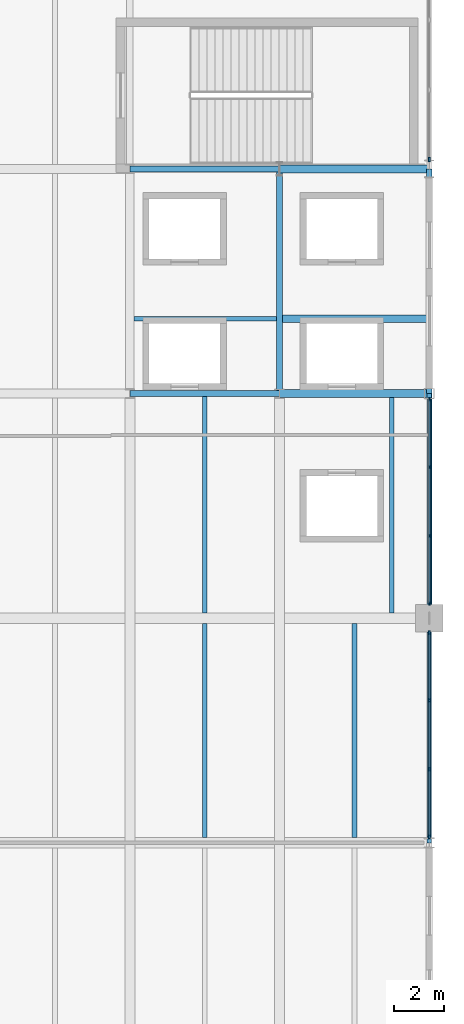
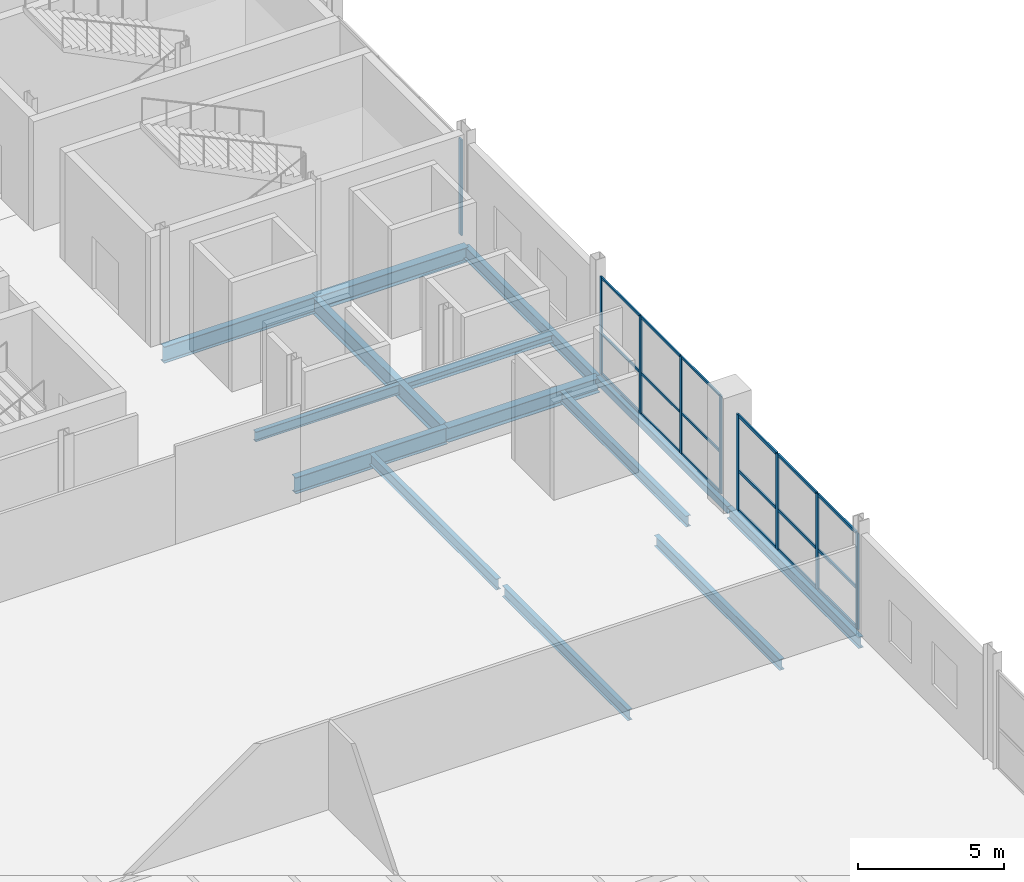
# One storey, part 17 of 50: 27 members, 14 beams, 3 elements without a shape of their own.
"""IFC4 building model written with IfcOpenShell, lengths in metres."""

from ifc_helpers import new_model, si_unit, direction, frame, origin, origin_2d, place, context, subcontext, project, spatial, rectangle, hollow_rectangle, i_section, extrude, material, layer, layer_set, material_profile, profile_set, type_object, element, aggregate, save


model = new_model("IFC4")

# Units and contexts
model_context = context("Model", 3, precision=1e-05, world=origin(), true_north=direction((0.0, 1.0)))
body_context = subcontext(model_context, "Body", "Model", "MODEL_VIEW")
ifc_project = project(units=[si_unit("LENGTHUNIT", "METRE"), si_unit("AREAUNIT", "SQUARE_METRE"), si_unit("VOLUMEUNIT", "CUBIC_METRE"), si_unit("PLANEANGLEUNIT", "RADIAN"), si_unit("MASSUNIT", "GRAM", prefix="KILO")], contexts=[model_context])

# Site, building, storey
site_placement = place(None, origin())
site = spatial("IfcSite", under=ifc_project, at=site_placement, CompositionType="ELEMENT")
building_placement = place(site_placement, origin())
building = spatial("IfcBuilding", under=site, at=building_placement, Name="Qamarlyn Nura Convention Centre", CompositionType="ELEMENT")
storey_placement = place(building_placement, frame((0.0, 0.0, 20.39990234375)))
storey = spatial("IfcBuildingStorey", under=building, at=storey_placement, Name="L04", CompositionType="ELEMENT", Elevation=20.39990234375)

# Beams
ifc_material_1 = material(Name="Steel ASTM A992", Category="steel")
ifc_material_profile_1 = material_profile(ifc_material_1, i_section(OverallWidth=0.323974609375, OverallDepth=0.611083984375, WebThickness=0.0126953125, FlangeThickness=0.01904296875, FilletRadius=0.01611328125, at=origin_2d()), Name="W610X155")
ifc_profile_set_1 = profile_set([ifc_material_profile_1], Name="Steel ASTM A992")
beam_type_1 = type_object("IfcBeamType", Name="BM-GIRD-610", PredefinedType="BEAM", material=ifc_profile_set_1)
for number, where, z_axis, x_axis, name in (
    (1, (186.0, 54.0, -0.50537109375), (1.0, 0.0, 0.0), (0.0, 1.0, 0.0), "L04 girder G 17-18"),
    (2, (186.0, 63.0, -0.50537109375), (1.0, 0.0, 0.0), (0.0, 1.0, 0.0), "L04 girder H 17-18"),
):
    element("IfcBeam", number, at=place(storey_placement, frame(where, z_axis=z_axis, x_axis=x_axis)), inside=storey, type_object=beam_type_1, Name=name, PredefinedType="BEAM", context=body_context, shape_type="SweptSolid", body=[
        extrude(i_section(OverallWidth=0.323974609375, OverallDepth=0.611083984375, WebThickness=0.0126953125, FlangeThickness=0.01904296875, FilletRadius=0.01611328125, at=origin_2d()), origin(), (0.0, 0.0, 1.0), 6.0),
    ])
ifc_material_profile_2 = material_profile(ifc_material_1, i_section(OverallWidth=0.25390625, OverallDepth=0.68408203125, WebThickness=0.012451171875, FlangeThickness=0.01904296875, FilletRadius=0.01806640625, at=origin_2d()), Name="W690X140")
ifc_profile_set_2 = profile_set([ifc_material_profile_2], Name="Steel ASTM A992")
beam_type_2 = type_object("IfcBeamType", Name="BM-GIRD-690B", PredefinedType="BEAM", material=ifc_profile_set_2)
for number, where, z_axis, x_axis, name in (
    (3, (180.0, 54.0, -0.5419921875), (1.0, 0.0, 0.0), (0.0, 1.0, 0.0), "L04 girder G 16-17"),
    (4, (180.0, 63.0, -0.5419921875), (1.0, 0.0, 0.0), (0.0, 1.0, 0.0), "L04 girder H 16-17"),
):
    element("IfcBeam", number, at=place(storey_placement, frame(where, z_axis=z_axis, x_axis=x_axis)), inside=storey, type_object=beam_type_2, Name=name, PredefinedType="BEAM", context=body_context, shape_type="SweptSolid", body=[
        extrude(i_section(OverallWidth=0.25390625, OverallDepth=0.68408203125, WebThickness=0.012451171875, FlangeThickness=0.01904296875, FilletRadius=0.01806640625, at=origin_2d()), origin(), (0.0, 0.0, 1.0), 6.0),
    ])
beam_1_placement = place(storey_placement, frame((186.0, 54.0, -0.5419921875), z_axis=(0.0, 1.0, 0.0), x_axis=(-1.0, 0.0, 0.0)))
element("IfcBeam", 5, at=beam_1_placement, inside=storey, type_object=beam_type_2, Name="L04 girder 17 G-H", PredefinedType="BEAM", context=body_context, shape_type="SweptSolid", body=[
    extrude(i_section(OverallWidth=0.25390625, OverallDepth=0.68408203125, WebThickness=0.012451171875, FlangeThickness=0.01904296875, FilletRadius=0.01806640625, at=origin_2d()), origin(), (0.0, 0.0, 1.0), 9.0),
])
ifc_material_profile_3 = material_profile(ifc_material_1, i_section(OverallWidth=0.304931640625, OverallDepth=0.30810546875, WebThickness=0.010009765625, FlangeThickness=0.015380859375, FilletRadius=0.014892578125, at=origin_2d()), Name="W310X97")
ifc_profile_set_3 = profile_set([ifc_material_profile_3], Name="Steel ASTM A992")
beam_type_3 = type_object("IfcBeamType", Name="BM-JOIST-310", PredefinedType="JOIST", material=ifc_profile_set_3)
beam_2_placement = place(storey_placement, frame((186.126953125, 57.0, -0.35400390625), z_axis=(1.0, 0.0, 0.0), x_axis=(0.0, 1.0, 0.0)))
element("IfcBeam", 6, at=beam_2_placement, inside=storey, type_object=beam_type_3, Name="L04 composite joist 17-18/G+1", PredefinedType="JOIST", context=body_context, shape_type="SweptSolid", body=[
    extrude(i_section(OverallWidth=0.304931640625, OverallDepth=0.30810546875, WebThickness=0.010009765625, FlangeThickness=0.015380859375, FilletRadius=0.014892578125, at=origin_2d()), origin(), (0.0, 0.0, 1.0), 5.767578125),
])
ifc_material_profile_4 = material_profile(ifc_material_1, i_section(OverallWidth=0.177978515625, OverallDepth=0.406982421875, WebThickness=0.0078125, FlangeThickness=0.0126953125, FilletRadius=0.011962890625, at=origin_2d()), Name="W410X60")
ifc_profile_set_4 = profile_set([ifc_material_profile_4], Name="Steel ASTM A992")
beam_type_4 = type_object("IfcBeamType", Name="BM-JOIST-410", PredefinedType="JOIST", material=ifc_profile_set_4)
beam_3_placement = place(storey_placement, frame((180.177490234375, 57.0, -0.4033203125), z_axis=(1.0, 0.0, 0.0), x_axis=(0.0, 1.0, 0.0)))
element("IfcBeam", 7, at=beam_3_placement, inside=storey, type_object=beam_type_4, Name="L04 composite joist 16-17/G+1", PredefinedType="JOIST", context=body_context, shape_type="SweptSolid", body=[
    extrude(i_section(OverallWidth=0.177978515625, OverallDepth=0.406982421875, WebThickness=0.0078125, FlangeThickness=0.0126953125, FilletRadius=0.011962890625, at=origin_2d()), origin(), (0.0, 0.0, 1.0), 5.695556640625),
])
ifc_material_profile_5 = material_profile(ifc_material_1, i_section(OverallWidth=0.18994140625, OverallDepth=0.45703125, WebThickness=0.009033203125, FlangeThickness=0.014404296875, FilletRadius=0.012939453125, at=origin_2d()), Name="W460X74")
ifc_profile_set_5 = profile_set([ifc_material_profile_5], Name="Steel ASTM A992")
beam_type_5 = type_object("IfcBeamType", Name="BM-JOIST-460", PredefinedType="JOIST", material=ifc_profile_set_5)
beam_4_placement = place(storey_placement, frame((183.0, 36.208984375, -0.428466796875), z_axis=(0.0, 1.0, 0.0), x_axis=(-1.0, 0.0, 0.0)))
element("IfcBeam", 8, at=beam_4_placement, inside=storey, type_object=beam_type_5, Name="L04 secondary joist 16-17/E-F-60", PredefinedType="JOIST", context=body_context, shape_type="SweptSolid", body=[
    extrude(i_section(OverallWidth=0.18994140625, OverallDepth=0.45703125, WebThickness=0.009033203125, FlangeThickness=0.014404296875, FilletRadius=0.012939453125, at=origin_2d()), origin(), (0.0, 0.0, 1.0), 8.58203125),
])
beam_5_placement = place(storey_placement, frame((183.0, 45.208984375, -0.428466796875), z_axis=(0.0, 1.0, 0.0), x_axis=(-1.0, 0.0, 0.0)))
element("IfcBeam", 9, at=beam_5_placement, inside=storey, type_object=beam_type_5, Name="L04 secondary joist 16-17/F-G-61", PredefinedType="JOIST", context=body_context, shape_type="SweptSolid", body=[
    extrude(i_section(OverallWidth=0.18994140625, OverallDepth=0.45703125, WebThickness=0.009033203125, FlangeThickness=0.014404296875, FilletRadius=0.012939453125, at=origin_2d()), origin(), (0.0, 0.0, 1.0), 8.6640625),
])
beam_6_placement = place(storey_placement, frame((189.0, 36.208984375, -0.428466796875), z_axis=(0.0, 1.0, 0.0), x_axis=(-1.0, 0.0, 0.0)))
element("IfcBeam", 10, at=beam_6_placement, inside=storey, type_object=beam_type_5, Name="L04 secondary joist 17-18/E-F-67", PredefinedType="JOIST", context=body_context, shape_type="SweptSolid", body=[
    extrude(i_section(OverallWidth=0.18994140625, OverallDepth=0.45703125, WebThickness=0.009033203125, FlangeThickness=0.014404296875, FilletRadius=0.012939453125, at=origin_2d()), origin(), (0.0, 0.0, 1.0), 8.58203125),
])
beam_7_placement = place(storey_placement, frame((190.5, 45.208984375, -0.428466796875), z_axis=(0.0, 1.0, 0.0), x_axis=(-1.0, 0.0, 0.0)))
element("IfcBeam", 11, at=beam_7_placement, inside=storey, type_object=beam_type_5, Name="L04 secondary joist 17-18/F-G-68", PredefinedType="JOIST", context=body_context, shape_type="SweptSolid", body=[
    extrude(i_section(OverallWidth=0.18994140625, OverallDepth=0.45703125, WebThickness=0.009033203125, FlangeThickness=0.014404296875, FilletRadius=0.012939453125, at=origin_2d()), origin(), (0.0, 0.0, 1.0), 8.62890625),
])
ifc_material_profile_6 = material_profile(ifc_material_1, i_section(OverallWidth=0.193115234375, OverallDepth=0.466064453125, WebThickness=0.011474609375, FlangeThickness=0.01904296875, FilletRadius=0.012939453125, at=origin_2d()), Name="W460X97")
ifc_profile_set_6 = profile_set([ifc_material_profile_6], Name="Steel ASTM A992")
beam_type_6 = type_object("IfcBeamType", Name="BM-SPAN-460", PredefinedType="SPANDREL", material=ifc_profile_set_6)
beam_8_placement = place(storey_placement, frame((192.0, 36.0, -0.432861328125), z_axis=(0.0, 1.0, 0.0), x_axis=(-1.0, 0.0, 0.0)))
element("IfcBeam", 12, at=beam_8_placement, inside=storey, type_object=beam_type_6, Name="L04 girder 18 E-F", PredefinedType="SPANDREL", context=body_context, shape_type="SweptSolid", body=[
    extrude(i_section(OverallWidth=0.193115234375, OverallDepth=0.466064453125, WebThickness=0.011474609375, FlangeThickness=0.01904296875, FilletRadius=0.012939453125, at=origin_2d()), origin(), (0.0, 0.0, 1.0), 9.0),
])
ifc_material_profile_7 = material_profile(ifc_material_1, i_section(OverallWidth=0.2109375, OverallDepth=0.5390625, WebThickness=0.01171875, FlangeThickness=0.018798828125, FilletRadius=0.013916015625, at=origin_2d()), Name="W530X109")
ifc_profile_set_7 = profile_set([ifc_material_profile_7], Name="Steel ASTM A992")
beam_type_7 = type_object("IfcBeamType", Name="BM-SPAN-530", PredefinedType="SPANDREL", material=ifc_profile_set_7)
beam_9_placement = place(storey_placement, frame((192.0, 54.0, -0.469482421875), z_axis=(0.0, 1.0, 0.0), x_axis=(-1.0, 0.0, 0.0)))
element("IfcBeam", 13, at=beam_9_placement, inside=storey, type_object=beam_type_7, Name="L04 girder 18 G-H", PredefinedType="SPANDREL", context=body_context, shape_type="SweptSolid", body=[
    extrude(i_section(OverallWidth=0.2109375, OverallDepth=0.5390625, WebThickness=0.01171875, FlangeThickness=0.018798828125, FilletRadius=0.013916015625, at=origin_2d()), origin(), (0.0, 0.0, 1.0), 9.0),
])
ifc_material_2 = material(Name="Steel ASTM A500 Grade C", Category="steel")
ifc_material_profile_8 = material_profile(ifc_material_2, hollow_rectangle(XDim=0.199951171875, YDim=0.300048828125, WallThickness=0.012451171875, InnerFilletRadius=0.012451171875, OuterFilletRadius=0.02490234375, at=origin_2d()), Name="HSS300X200X12.5")
ifc_profile_set_8 = profile_set([ifc_material_profile_8], Name="Steel ASTM A500 Grade C")
beam_type_8 = type_object("IfcBeamType", Name="BM-SPAN-HSS", PredefinedType="SPANDREL", material=ifc_profile_set_8)
beam_10_placement = place(storey_placement, frame((192.0, 45.0, -0.349853515625), z_axis=(0.0, 1.0, 0.0), x_axis=(-1.0, 0.0, 0.0)))
element("IfcBeam", 14, at=beam_10_placement, inside=storey, type_object=beam_type_8, Name="L04 girder 18 F-G", PredefinedType="SPANDREL", context=body_context, shape_type="SweptSolid", body=[
    extrude(hollow_rectangle(XDim=0.199951171875, YDim=0.300048828125, WallThickness=0.012451171875, InnerFilletRadius=0.012451171875, OuterFilletRadius=0.02490234375, at=origin_2d()), origin(), (0.0, 0.0, 1.0), 9.0),
])

# Curtain wall, members
ifc_material_3 = material(Name="Double-silver low-E insulated glass", Category="glass")
ifc_layer_1 = layer(ifc_material_3, 0.179931640625, Name="CW-UNIT-136")
ifc_layer_set_1 = layer_set([ifc_layer_1], Name="Double-silver low-E insulated glass")
curtain_wall_type_1 = type_object("IfcCurtainWallType", Name="CW-UNIT-136", PredefinedType="NOTDEFINED", material=ifc_layer_set_1)
curtain_wall_1_placement = place(storey_placement, origin())
curtain_wall_1 = element("IfcCurtainWall", 15, at=curtain_wall_1_placement, inside=storey, type_object=curtain_wall_type_1, Name="L04 unitised curtain wall EAST-6-1", PredefinedType="NOTDEFINED")
ifc_material_4 = material(Name="Champagne-anodised marine aluminium", Category="aluminium")
ifc_material_profile_9 = material_profile(ifc_material_4, rectangle(XDim=0.06005859375, YDim=0.139892578125, at=origin_2d()), Name="ALU MULLION 60x140")
ifc_profile_set_9 = profile_set([ifc_material_profile_9], Name="Champagne-anodised marine aluminium")
member_type_1 = type_object("IfcMemberType", Name="CWM-140", PredefinedType="MULLION", material=ifc_profile_set_9)
member_1_placement = place(storey_placement, frame((192.0, 53.77001953125, 0.0), z_axis=(0.0, 0.0, 1.0), x_axis=(1.0, 0.0, 0.0)))
member_1 = element("IfcMember", 16, at=member_1_placement, type_object=member_type_1, Name="CW136 mullion 1", PredefinedType="MULLION", context=body_context, shape_type="SweptSolid", body=[
    extrude(rectangle(XDim=0.06005859375, YDim=0.139892578125, at=origin_2d()), origin(), (0.0, 0.0, 1.0), 4.0791015625),
])
member_2_placement = place(storey_placement, frame((192.0, 51.050048828125, 0.0), z_axis=(0.0, 0.0, 1.0), x_axis=(1.0, 0.0, 0.0)))
member_2 = element("IfcMember", 17, at=member_2_placement, type_object=member_type_1, Name="CW136 mullion 2", PredefinedType="MULLION", context=body_context, shape_type="SweptSolid", body=[
    extrude(rectangle(XDim=0.06005859375, YDim=0.139892578125, at=origin_2d()), origin(), (0.0, 0.0, 1.0), 4.0791015625),
])
member_3_placement = place(storey_placement, frame((192.0, 48.300048828125, 0.0), z_axis=(0.0, 0.0, 1.0), x_axis=(1.0, 0.0, 0.0)))
member_3 = element("IfcMember", 18, at=member_3_placement, type_object=member_type_1, Name="CW136 mullion 3", PredefinedType="MULLION", context=body_context, shape_type="SweptSolid", body=[
    extrude(rectangle(XDim=0.06005859375, YDim=0.139892578125, at=origin_2d()), origin(), (0.0, 0.0, 1.0), 4.0791015625),
])
member_4_placement = place(storey_placement, frame((192.0, 45.580078125, 0.0), z_axis=(0.0, 0.0, 1.0), x_axis=(1.0, 0.0, 0.0)))
member_4 = element("IfcMember", 19, at=member_4_placement, type_object=member_type_1, Name="CW136 mullion 4", PredefinedType="MULLION", context=body_context, shape_type="SweptSolid", body=[
    extrude(rectangle(XDim=0.06005859375, YDim=0.139892578125, at=origin_2d()), origin(), (0.0, 0.0, 1.0), 4.0791015625),
])

ifc_layer_2 = layer(ifc_material_3, 0.179931640625, Name="CW-UNIT-134")
ifc_layer_set_2 = layer_set([ifc_layer_2], Name="Double-silver low-E insulated glass")
curtain_wall_type_2 = type_object("IfcCurtainWallType", Name="CW-UNIT-134", PredefinedType="NOTDEFINED", material=ifc_layer_set_2)
curtain_wall_2_placement = place(storey_placement, origin())
curtain_wall_2 = element("IfcCurtainWall", 20, at=curtain_wall_2_placement, inside=storey, type_object=curtain_wall_type_2, Name="L04 unitised curtain wall EAST-5-1", PredefinedType="NOTDEFINED")
ifc_material_profile_10 = material_profile(ifc_material_4, rectangle(XDim=0.06494140625, YDim=0.159912109375, at=origin_2d()), Name="ALU MULLION 65x160")
ifc_profile_set_10 = profile_set([ifc_material_profile_10], Name="Champagne-anodised marine aluminium")
member_type_2 = type_object("IfcMemberType", Name="CWM-160", PredefinedType="MULLION", material=ifc_profile_set_10)
member_5_placement = place(storey_placement, frame((192.0, 44.41748046875, 0.0), z_axis=(0.0, 0.0, 1.0), x_axis=(1.0, 0.0, 0.0)))
member_5 = element("IfcMember", 21, at=member_5_placement, type_object=member_type_2, Name="CW134 mullion 1", PredefinedType="MULLION", context=body_context, shape_type="SweptSolid", body=[
    extrude(rectangle(XDim=0.06494140625, YDim=0.159912109375, at=origin_2d()), origin(), (0.0, 0.0, 1.0), 4.006103515625),
])
member_6_placement = place(storey_placement, frame((192.0, 41.7041015625, 0.0), z_axis=(0.0, 0.0, 1.0), x_axis=(1.0, 0.0, 0.0)))
member_6 = element("IfcMember", 22, at=member_6_placement, type_object=member_type_2, Name="CW134 mullion 2", PredefinedType="MULLION", context=body_context, shape_type="SweptSolid", body=[
    extrude(rectangle(XDim=0.06494140625, YDim=0.159912109375, at=origin_2d()), origin(), (0.0, 0.0, 1.0), 4.006103515625),
])
member_7_placement = place(storey_placement, frame((192.0, 38.958251953125, 0.0), z_axis=(0.0, 0.0, 1.0), x_axis=(1.0, 0.0, 0.0)))
member_7 = element("IfcMember", 23, at=member_7_placement, type_object=member_type_2, Name="CW134 mullion 3", PredefinedType="MULLION", context=body_context, shape_type="SweptSolid", body=[
    extrude(rectangle(XDim=0.06494140625, YDim=0.159912109375, at=origin_2d()), origin(), (0.0, 0.0, 1.0), 4.006103515625),
])
member_8_placement = place(storey_placement, frame((192.0, 36.2451171875, 0.0), z_axis=(0.0, 0.0, 1.0), x_axis=(1.0, 0.0, 0.0)))
member_8 = element("IfcMember", 24, at=member_8_placement, type_object=member_type_2, Name="CW134 mullion 4", PredefinedType="MULLION", context=body_context, shape_type="SweptSolid", body=[
    extrude(rectangle(XDim=0.06494140625, YDim=0.159912109375, at=origin_2d()), origin(), (0.0, 0.0, 1.0), 4.006103515625),
])

# Curtain wall, member
ifc_layer_3 = layer(ifc_material_3, 0.179931640625, Name="CW-UNIT-137")
ifc_layer_set_3 = layer_set([ifc_layer_3], Name="Double-silver low-E insulated glass")
curtain_wall_type_3 = type_object("IfcCurtainWallType", Name="CW-UNIT-137", PredefinedType="NOTDEFINED", material=ifc_layer_set_3)
curtain_wall_3_placement = place(storey_placement, origin())
curtain_wall_3 = element("IfcCurtainWall", 25, at=curtain_wall_3_placement, inside=storey, type_object=curtain_wall_type_3, Name="L04 unitised curtain wall EAST-8-1", PredefinedType="NOTDEFINED")
ifc_material_profile_11 = material_profile(ifc_material_4, rectangle(XDim=0.070068359375, YDim=0.179931640625, at=origin_2d()), Name="ALU MULLION 70x180")
ifc_profile_set_11 = profile_set([ifc_material_profile_11], Name="Champagne-anodised marine aluminium")
member_type_3 = type_object("IfcMemberType", Name="CWM-180", PredefinedType="MULLION", material=ifc_profile_set_11)
member_9_placement = place(storey_placement, frame((192.0, 63.382568359375, 0.0), z_axis=(0.0, 0.0, 1.0), x_axis=(1.0, 0.0, 0.0)))
member_9 = element("IfcMember", 26, at=member_9_placement, type_object=member_type_3, Name="CW137 mullion 4", PredefinedType="MULLION", context=body_context, shape_type="SweptSolid", body=[
    extrude(rectangle(XDim=0.070068359375, YDim=0.179931640625, at=origin_2d()), origin(), (0.0, 0.0, 1.0), 4.006103515625),
])
aggregate(curtain_wall_3, [member_9])

# Member
ifc_material_profile_12 = material_profile(ifc_material_4, rectangle(XDim=0.06005859375, YDim=0.10009765625, at=origin_2d()), Name="ALU TRANSOM 60x100")
ifc_profile_set_12 = profile_set([ifc_material_profile_12], Name="Champagne-anodised marine aluminium")
member_type_4 = type_object("IfcMemberType", Name="CWT-100", PredefinedType="USERDEFINED", material=ifc_profile_set_12)
member_10_placement = place(storey_placement, frame((192.0, 53.739990234375, 0.030029296875), z_axis=(0.0, -1.0, 0.0), x_axis=(1.0, 0.0, 0.0)))
member_10 = element("IfcMember", 27, at=member_10_placement, type_object=member_type_4, Name="CW136 transom 1.1", ObjectType="TRANSOM", PredefinedType="USERDEFINED", context=body_context, shape_type="SweptSolid", body=[
    extrude(rectangle(XDim=0.06005859375, YDim=0.10009765625, at=origin_2d()), origin(), (0.0, 0.0, 1.0), 2.659912109375),
])

member_11_placement = place(storey_placement, frame((192.0, 53.739990234375, 1.713134765625), z_axis=(0.0, -1.0, 0.0), x_axis=(1.0, 0.0, 0.0)))
member_11 = element("IfcMember", 28, at=member_11_placement, type_object=member_type_4, Name="CW136 transom 1.2", ObjectType="TRANSOM", PredefinedType="USERDEFINED", context=body_context, shape_type="SweptSolid", body=[
    extrude(rectangle(XDim=0.06005859375, YDim=0.10009765625, at=origin_2d()), origin(), (0.0, 0.0, 1.0), 2.659912109375),
])

member_12_placement = place(storey_placement, frame((192.0, 53.739990234375, 4.049072265625), z_axis=(0.0, -1.0, 0.0), x_axis=(1.0, 0.0, 0.0)))
member_12 = element("IfcMember", 29, at=member_12_placement, type_object=member_type_4, Name="CW136 transom 1.3", ObjectType="TRANSOM", PredefinedType="USERDEFINED", context=body_context, shape_type="SweptSolid", body=[
    extrude(rectangle(XDim=0.06005859375, YDim=0.10009765625, at=origin_2d()), origin(), (0.0, 0.0, 1.0), 2.659912109375),
])

member_13_placement = place(storey_placement, frame((192.0, 51.02001953125, 0.030029296875), z_axis=(0.0, -1.0, 0.0), x_axis=(1.0, 0.0, 0.0)))
member_13 = element("IfcMember", 30, at=member_13_placement, type_object=member_type_4, Name="CW136 transom 2.1", ObjectType="TRANSOM", PredefinedType="USERDEFINED", context=body_context, shape_type="SweptSolid", body=[
    extrude(rectangle(XDim=0.06005859375, YDim=0.10009765625, at=origin_2d()), origin(), (0.0, 0.0, 1.0), 2.68994140625),
])

member_14_placement = place(storey_placement, frame((192.0, 51.02001953125, 1.713134765625), z_axis=(0.0, -1.0, 0.0), x_axis=(1.0, 0.0, 0.0)))
member_14 = element("IfcMember", 31, at=member_14_placement, type_object=member_type_4, Name="CW136 transom 2.2", ObjectType="TRANSOM", PredefinedType="USERDEFINED", context=body_context, shape_type="SweptSolid", body=[
    extrude(rectangle(XDim=0.06005859375, YDim=0.10009765625, at=origin_2d()), origin(), (0.0, 0.0, 1.0), 2.68994140625),
])

member_15_placement = place(storey_placement, frame((192.0, 51.02001953125, 4.049072265625), z_axis=(0.0, -1.0, 0.0), x_axis=(1.0, 0.0, 0.0)))
member_15 = element("IfcMember", 32, at=member_15_placement, type_object=member_type_4, Name="CW136 transom 2.3", ObjectType="TRANSOM", PredefinedType="USERDEFINED", context=body_context, shape_type="SweptSolid", body=[
    extrude(rectangle(XDim=0.06005859375, YDim=0.10009765625, at=origin_2d()), origin(), (0.0, 0.0, 1.0), 2.68994140625),
])

member_16_placement = place(storey_placement, frame((192.0, 48.27001953125, 0.030029296875), z_axis=(0.0, -1.0, 0.0), x_axis=(1.0, 0.0, 0.0)))
member_16 = element("IfcMember", 33, at=member_16_placement, type_object=member_type_4, Name="CW136 transom 3.1", ObjectType="TRANSOM", PredefinedType="USERDEFINED", context=body_context, shape_type="SweptSolid", body=[
    extrude(rectangle(XDim=0.06005859375, YDim=0.10009765625, at=origin_2d()), origin(), (0.0, 0.0, 1.0), 2.659912109375),
])

member_17_placement = place(storey_placement, frame((192.0, 48.27001953125, 1.713134765625), z_axis=(0.0, -1.0, 0.0), x_axis=(1.0, 0.0, 0.0)))
member_17 = element("IfcMember", 34, at=member_17_placement, type_object=member_type_4, Name="CW136 transom 3.2", ObjectType="TRANSOM", PredefinedType="USERDEFINED", context=body_context, shape_type="SweptSolid", body=[
    extrude(rectangle(XDim=0.06005859375, YDim=0.10009765625, at=origin_2d()), origin(), (0.0, 0.0, 1.0), 2.659912109375),
])

member_18_placement = place(storey_placement, frame((192.0, 48.27001953125, 4.049072265625), z_axis=(0.0, -1.0, 0.0), x_axis=(1.0, 0.0, 0.0)))
member_18 = element("IfcMember", 35, at=member_18_placement, type_object=member_type_4, Name="CW136 transom 3.3", ObjectType="TRANSOM", PredefinedType="USERDEFINED", context=body_context, shape_type="SweptSolid", body=[
    extrude(rectangle(XDim=0.06005859375, YDim=0.10009765625, at=origin_2d()), origin(), (0.0, 0.0, 1.0), 2.659912109375),
])

aggregate(curtain_wall_1, [member_1, member_2, member_3, member_4, member_10, member_11, member_12, member_13, member_14, member_15, member_16, member_17, member_18])

ifc_material_profile_13 = material_profile(ifc_material_4, rectangle(XDim=0.06494140625, YDim=0.1201171875, at=origin_2d()), Name="ALU TRANSOM 65x120")
ifc_profile_set_13 = profile_set([ifc_material_profile_13], Name="Champagne-anodised marine aluminium")
member_type_5 = type_object("IfcMemberType", Name="CWT-120", PredefinedType="USERDEFINED", material=ifc_profile_set_13)
member_19_placement = place(storey_placement, frame((192.0, 44.385009765625, 0.03271484375), z_axis=(0.0, -1.0, 0.0), x_axis=(1.0, 0.0, 0.0)))
member_19 = element("IfcMember", 36, at=member_19_placement, type_object=member_type_5, Name="CW134 transom 1.1", ObjectType="TRANSOM", PredefinedType="USERDEFINED", context=body_context, shape_type="SweptSolid", body=[
    extrude(rectangle(XDim=0.06494140625, YDim=0.1201171875, at=origin_2d()), origin(), (0.0, 0.0, 1.0), 2.6484375),
])

member_20_placement = place(storey_placement, frame((192.0, 44.385009765625, 1.68310546875), z_axis=(0.0, -1.0, 0.0), x_axis=(1.0, 0.0, 0.0)))
member_20 = element("IfcMember", 37, at=member_20_placement, type_object=member_type_5, Name="CW134 transom 1.2", ObjectType="TRANSOM", PredefinedType="USERDEFINED", context=body_context, shape_type="SweptSolid", body=[
    extrude(rectangle(XDim=0.06494140625, YDim=0.1201171875, at=origin_2d()), origin(), (0.0, 0.0, 1.0), 2.6484375),
])

member_21_placement = place(storey_placement, frame((192.0, 44.385009765625, 3.9736328125), z_axis=(0.0, -1.0, 0.0), x_axis=(1.0, 0.0, 0.0)))
member_21 = element("IfcMember", 38, at=member_21_placement, type_object=member_type_5, Name="CW134 transom 1.3", ObjectType="TRANSOM", PredefinedType="USERDEFINED", context=body_context, shape_type="SweptSolid", body=[
    extrude(rectangle(XDim=0.06494140625, YDim=0.1201171875, at=origin_2d()), origin(), (0.0, 0.0, 1.0), 2.6484375),
])

member_22_placement = place(storey_placement, frame((192.0, 41.671630859375, 0.03271484375), z_axis=(0.0, -1.0, 0.0), x_axis=(1.0, 0.0, 0.0)))
member_22 = element("IfcMember", 39, at=member_22_placement, type_object=member_type_5, Name="CW134 transom 2.1", ObjectType="TRANSOM", PredefinedType="USERDEFINED", context=body_context, shape_type="SweptSolid", body=[
    extrude(rectangle(XDim=0.06494140625, YDim=0.1201171875, at=origin_2d()), origin(), (0.0, 0.0, 1.0), 2.680908203125),
])

member_23_placement = place(storey_placement, frame((192.0, 41.671630859375, 1.68310546875), z_axis=(0.0, -1.0, 0.0), x_axis=(1.0, 0.0, 0.0)))
member_23 = element("IfcMember", 40, at=member_23_placement, type_object=member_type_5, Name="CW134 transom 2.2", ObjectType="TRANSOM", PredefinedType="USERDEFINED", context=body_context, shape_type="SweptSolid", body=[
    extrude(rectangle(XDim=0.06494140625, YDim=0.1201171875, at=origin_2d()), origin(), (0.0, 0.0, 1.0), 2.680908203125),
])

member_24_placement = place(storey_placement, frame((192.0, 41.671630859375, 3.9736328125), z_axis=(0.0, -1.0, 0.0), x_axis=(1.0, 0.0, 0.0)))
member_24 = element("IfcMember", 41, at=member_24_placement, type_object=member_type_5, Name="CW134 transom 2.3", ObjectType="TRANSOM", PredefinedType="USERDEFINED", context=body_context, shape_type="SweptSolid", body=[
    extrude(rectangle(XDim=0.06494140625, YDim=0.1201171875, at=origin_2d()), origin(), (0.0, 0.0, 1.0), 2.680908203125),
])

member_25_placement = place(storey_placement, frame((192.0, 38.92578125, 0.03271484375), z_axis=(0.0, -1.0, 0.0), x_axis=(1.0, 0.0, 0.0)))
member_25 = element("IfcMember", 42, at=member_25_placement, type_object=member_type_5, Name="CW134 transom 3.1", ObjectType="TRANSOM", PredefinedType="USERDEFINED", context=body_context, shape_type="SweptSolid", body=[
    extrude(rectangle(XDim=0.06494140625, YDim=0.1201171875, at=origin_2d()), origin(), (0.0, 0.0, 1.0), 2.648193359375),
])

member_26_placement = place(storey_placement, frame((192.0, 38.92578125, 1.68310546875), z_axis=(0.0, -1.0, 0.0), x_axis=(1.0, 0.0, 0.0)))
member_26 = element("IfcMember", 43, at=member_26_placement, type_object=member_type_5, Name="CW134 transom 3.2", ObjectType="TRANSOM", PredefinedType="USERDEFINED", context=body_context, shape_type="SweptSolid", body=[
    extrude(rectangle(XDim=0.06494140625, YDim=0.1201171875, at=origin_2d()), origin(), (0.0, 0.0, 1.0), 2.648193359375),
])

member_27_placement = place(storey_placement, frame((192.0, 38.92578125, 3.9736328125), z_axis=(0.0, -1.0, 0.0), x_axis=(1.0, 0.0, 0.0)))
member_27 = element("IfcMember", 44, at=member_27_placement, type_object=member_type_5, Name="CW134 transom 3.3", ObjectType="TRANSOM", PredefinedType="USERDEFINED", context=body_context, shape_type="SweptSolid", body=[
    extrude(rectangle(XDim=0.06494140625, YDim=0.1201171875, at=origin_2d()), origin(), (0.0, 0.0, 1.0), 2.648193359375),
])

aggregate(curtain_wall_2, [member_5, member_6, member_7, member_8, member_19, member_20, member_21, member_22, member_23, member_24, member_25, member_26, member_27])

save(model, "model.ifc")
